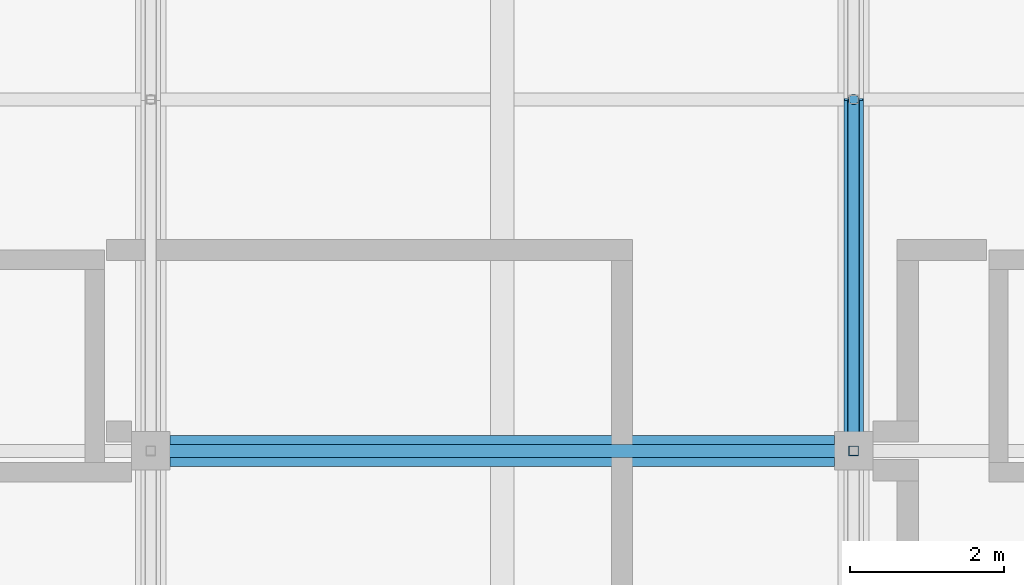
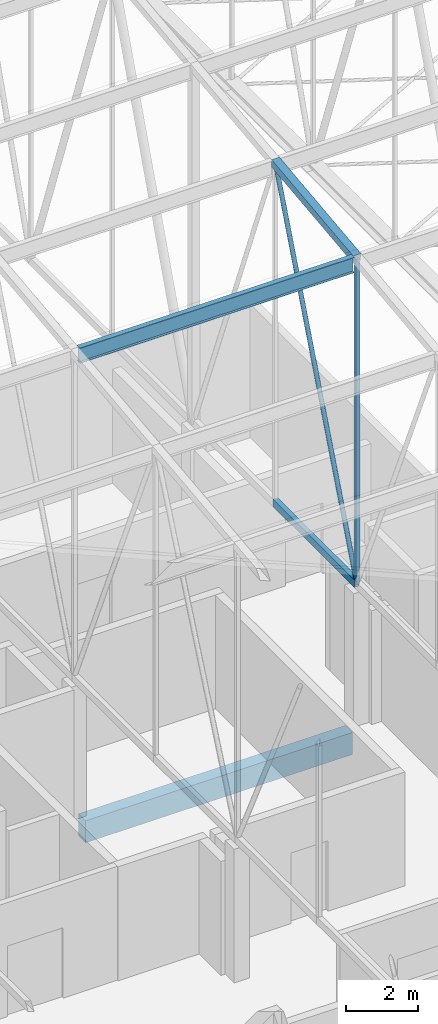
# One storey, part 74 of 500: 5 members, 1 beam.
"""IFC4 building model written with IfcOpenShell, lengths in metres."""

from ifc_helpers import new_model, si_unit, direction, frame, origin, origin_2d, place, context, subcontext, project, spatial, rectangle, hollow_rectangle, hollow_circle, i_section, extrude, material, material_profile, profile_set, type_object, element, save


model = new_model("IFC4")

# Units and contexts
model_context = context("Model", 3, precision=1e-05, world=origin(), true_north=direction((0.0, 1.0)))
body_context = subcontext(model_context, "Body", "Model", "MODEL_VIEW")
ifc_project = project(units=[si_unit("LENGTHUNIT", "METRE"), si_unit("AREAUNIT", "SQUARE_METRE"), si_unit("VOLUMEUNIT", "CUBIC_METRE"), si_unit("PLANEANGLEUNIT", "RADIAN"), si_unit("MASSUNIT", "GRAM", prefix="KILO")], contexts=[model_context])

# Site, building, storey
site_placement = place(None, origin())
site = spatial("IfcSite", under=ifc_project, at=site_placement, CompositionType="ELEMENT")
building_placement = place(site_placement, origin())
building = spatial("IfcBuilding", under=site, at=building_placement, Name="Shirokan Park Arena", CompositionType="ELEMENT")
storey_placement = place(building_placement, frame((0.0, 0.0, 29.1201171875)))
storey = spatial("IfcBuildingStorey", under=building, at=storey_placement, Name="L06", CompositionType="ELEMENT", Elevation=29.1201171875)

# Members
ifc_material_1 = material(Name="Steel ASTM A500 Grade C", Category="steel")
ifc_material_profile_1 = material_profile(ifc_material_1, hollow_rectangle(XDim=0.152099609375, YDim=0.25390625, WallThickness=0.009521484375, at=origin_2d()), Name="HSS254X152.4X9.5")
ifc_profile_set_1 = profile_set([ifc_material_profile_1], Name="Steel ASTM A500 Grade C")
member_type_1 = type_object("IfcMemberType", Name="Bottom chord HSS254X152.4X9.5", PredefinedType="CHORD", material=ifc_profile_set_1)
member_1_placement = place(storey_placement, frame((36.39990234375, 27.300048828125, 4.677001953125), z_axis=(0.0, 1.0, 0.0), x_axis=(-1.0, 0.0, 0.0)))
element("IfcMember", 1, at=member_1_placement, inside=storey, type_object=member_type_1, Name="Truss T05 bottom chord 9", PredefinedType="CHORD", context=body_context, shape_type="SweptSolid", body=[
    extrude(hollow_rectangle(XDim=0.152099609375, YDim=0.25390625, WallThickness=0.009521484375, at=origin_2d()), origin(), (0.0, 0.0, 1.0), 4.550048828125),
])
ifc_material_2 = material(Name="Steel ASTM A992", Category="steel")
ifc_material_profile_2 = material_profile(ifc_material_2, i_section(OverallWidth=0.166015625, OverallDepth=0.528076171875, WebThickness=0.009765625, FlangeThickness=0.013671875, at=origin_2d()), Name="W530X74")
ifc_profile_set_2 = profile_set([ifc_material_profile_2], Name="Steel ASTM A992")
member_type_2 = type_object("IfcMemberType", Name="Purlin W530X74", PredefinedType="PURLIN", material=ifc_profile_set_2)
member_2_placement = place(storey_placement, frame((27.427001953125, 27.300048828125, 15.60595703125), z_axis=(1.0, 0.0, 0.0), x_axis=(0.0, 1.0, 0.0)))
element("IfcMember", 2, at=member_2_placement, inside=storey, type_object=member_type_2, Name="Purlin 9 bay 4", PredefinedType="PURLIN", context=body_context, shape_type="SweptSolid", body=[
    extrude(i_section(OverallWidth=0.166015625, OverallDepth=0.528076171875, WebThickness=0.009765625, FlangeThickness=0.013671875, at=origin_2d()), origin(), (0.0, 0.0, 1.0), 8.845947265625),
])

# Beam
ifc_material_3 = material(Name="Concrete C35", Category="concrete")
ifc_material_profile_3 = material_profile(ifc_material_3, rectangle(XDim=0.39990234375, YDim=0.75, at=origin_2d()), Name="400x750")
ifc_profile_set_3 = profile_set([ifc_material_profile_3], Name="Concrete C35")
beam_type = type_object("IfcBeamType", Name="RC girder 400x750", PredefinedType="BEAM", material=ifc_profile_set_3)
beam_placement = place(storey_placement, frame((27.550048828125, 27.300048828125, -0.5751953125), z_axis=(1.0, 0.0, 0.0), x_axis=(0.0, 1.0, 0.0)))
element("IfcBeam", 3, at=beam_placement, inside=storey, type_object=beam_type, Name="Girder 4D-5D L06", PredefinedType="BEAM", context=body_context, shape_type="SweptSolid", body=[
    extrude(rectangle(XDim=0.39990234375, YDim=0.75, at=origin_2d()), origin(), (0.0, 0.0, 1.0), 8.599853515625),
])

# Members
ifc_material_profile_4 = material_profile(ifc_material_1, hollow_rectangle(XDim=0.25390625, YDim=0.25390625, WallThickness=0.009521484375, at=origin_2d()), Name="HSS254X254X9.5")
ifc_profile_set_4 = profile_set([ifc_material_profile_4], Name="Steel ASTM A500 Grade C")
member_type_3 = type_object("IfcMemberType", Name="Top chord HSS254X254X9.5", PredefinedType="CHORD", material=ifc_profile_set_4)
member_3_placement = place(storey_placement, frame((36.39990234375, 27.300048828125, 15.742919921875), z_axis=(0.0, 0.993532328996, 0.113549598152), x_axis=(-1.0, 0.0, 0.0)))
element("IfcMember", 4, at=member_3_placement, inside=storey, type_object=member_type_3, Name="Truss T05 top chord 9", PredefinedType="CHORD", context=body_context, shape_type="SweptSolid", body=[
    extrude(hollow_rectangle(XDim=0.25390625, YDim=0.25390625, WallThickness=0.009521484375, at=origin_2d()), origin(), (0.0, 0.0, 1.0), 4.57958984375),
])
ifc_material_profile_5 = material_profile(ifc_material_1, hollow_circle(Radius=0.070556640625, WallThickness=0.006591796875, at=origin_2d()), Name="HSS141.3X6.6")
ifc_profile_set_5 = profile_set([ifc_material_profile_5], Name="Steel ASTM A500 Grade C")
member_type_4 = type_object("IfcMemberType", Name="Truss diagonal HSS141.3X6.6", PredefinedType="BRACE", material=ifc_profile_set_5)
member_4_placement = place(storey_placement, frame((36.39990234375, 27.300048828125, 4.677001953125), z_axis=(0.0, 0.365543139237, 0.930794399079), x_axis=(-1.0, 0.0, 0.0)))
element("IfcMember", 5, at=member_4_placement, inside=storey, type_object=member_type_4, Name="Truss T05 diagonal 9", PredefinedType="BRACE", context=body_context, shape_type="SweptSolid", body=[
    extrude(hollow_circle(Radius=0.070556640625, WallThickness=0.006591796875, at=origin_2d()), origin(), (0.0, 0.0, 1.0), 12.447265625),
])
ifc_material_profile_6 = material_profile(ifc_material_1, hollow_rectangle(XDim=0.126953125, YDim=0.126953125, WallThickness=0.008056640625, at=origin_2d()), Name="HSS127X127X7.9")
ifc_profile_set_6 = profile_set([ifc_material_profile_6], Name="Steel ASTM A500 Grade C")
member_type_5 = type_object("IfcMemberType", Name="Truss post HSS127X127X7.9", PredefinedType="POST", material=ifc_profile_set_6)
member_5_placement = place(storey_placement, frame((36.39990234375, 27.300048828125, 4.677001953125), z_axis=(0.0, 0.0, 1.0), x_axis=(1.0, 0.0, 0.0)))
element("IfcMember", 6, at=member_5_placement, inside=storey, type_object=member_type_5, Name="Truss T05 post 9", PredefinedType="POST", context=body_context, shape_type="SweptSolid", body=[
    extrude(hollow_rectangle(XDim=0.126953125, YDim=0.126953125, WallThickness=0.008056640625, at=origin_2d()), origin(), (0.0, 0.0, 1.0), 11.06591796875),
])

save(model, "model.ifc")
